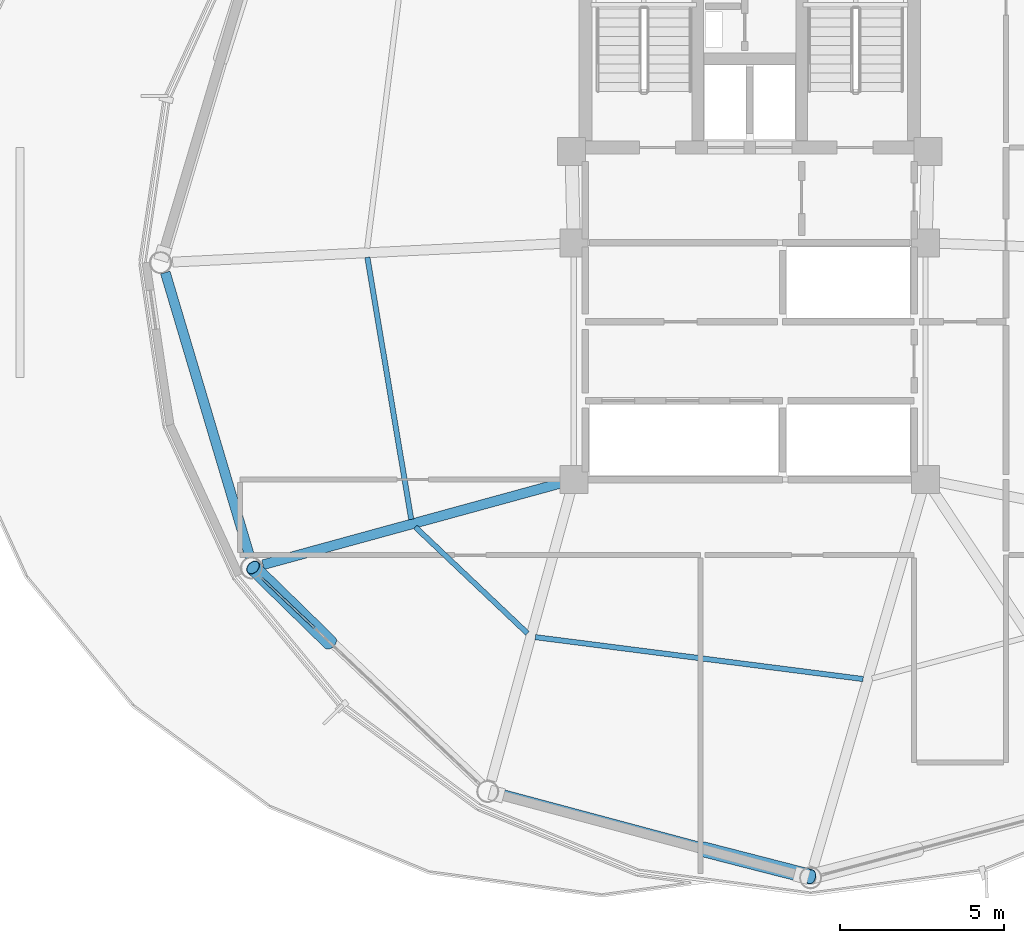
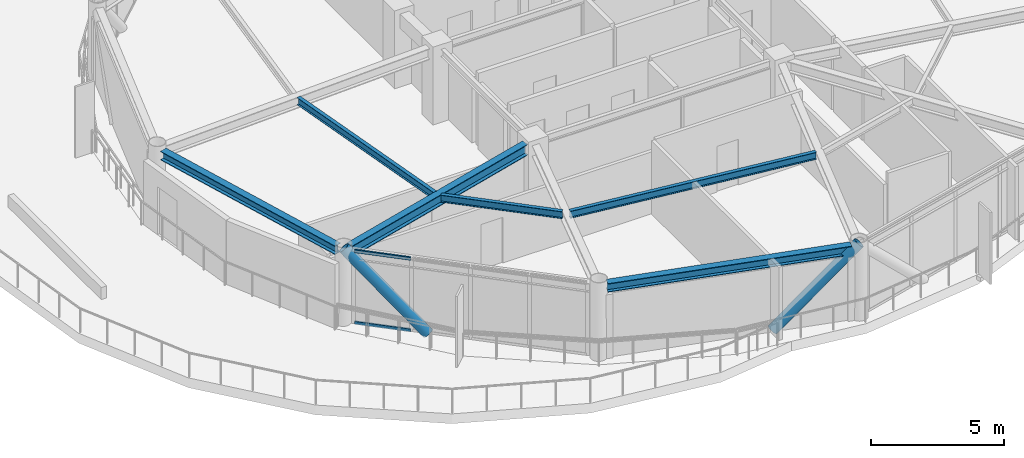
# One storey, part 3 of 25: 6 beams, 4 members, 1 element without a shape of its own.
"""IFC4 building model written with IfcOpenShell, lengths in metres."""

from ifc_helpers import new_model, si_unit, direction, frame, origin, origin_2d, place, context, subcontext, project, spatial, hollow_rectangle, hollow_circle, i_section, extrude, material, layer, layer_set, material_profile, profile_set, type_object, element, aggregate, save


model = new_model("IFC4")

# Units and contexts
model_context = context("Model", 3, precision=1e-05, world=origin(), true_north=direction((0.0, 1.0)))
body_context = subcontext(model_context, "Body", "Model", "MODEL_VIEW")
ifc_project = project(units=[si_unit("LENGTHUNIT", "METRE"), si_unit("AREAUNIT", "SQUARE_METRE"), si_unit("VOLUMEUNIT", "CUBIC_METRE"), si_unit("PLANEANGLEUNIT", "RADIAN"), si_unit("MASSUNIT", "GRAM", prefix="KILO")], contexts=[model_context])

# Site, building, storey
site_placement = place(None, origin())
site = spatial("IfcSite", under=ifc_project, at=site_placement, CompositionType="ELEMENT")
building_placement = place(site_placement, origin())
building = spatial("IfcBuilding", under=site, at=building_placement, Name="Varnakorn Sky Granary", CompositionType="ELEMENT")
storey_placement = place(building_placement, frame((0.0, 0.0, 178.800048828125)))
storey = spatial("IfcBuildingStorey", under=building, at=storey_placement, Name="L44", CompositionType="ELEMENT", Elevation=178.800048828125)

# Beams
ifc_material_1 = material(Name="Steel S355JR", Category="steel")
ifc_material_profile_1 = material_profile(ifc_material_1, i_section(OverallWidth=0.300048828125, OverallDepth=0.5, WebThickness=0.014404296875, FlangeThickness=0.028076171875, at=origin_2d()), Name="HE 500 B")
ifc_profile_set_1 = profile_set([ifc_material_profile_1], Name="Steel S355JR")
beam_type_1 = type_object("IfcBeamType", Name="BM-RAD-Z4", PredefinedType="BEAM", material=ifc_profile_set_1)
beam_1_placement = place(storey_placement, frame((-2.740478515625, -6.70703125, 3.10986328125), z_axis=(-0.964450758068, -0.264262625547, 0.0), x_axis=(0.264262625547, -0.964450758068, 0.0)))
element("IfcBeam", 1, at=beam_1_placement, inside=storey, type_object=beam_type_1, Name="Radial Floor Girder RG08 L44", PredefinedType="BEAM", context=body_context, shape_type="SweptSolid", body=[
    extrude(i_section(OverallWidth=0.300048828125, OverallDepth=0.5, WebThickness=0.014404296875, FlangeThickness=0.028076171875, at=origin_2d()), origin(), (0.0, 0.0, 1.0), 9.396484375),
])
ifc_material_profile_2 = material_profile(ifc_material_1, i_section(OverallWidth=0.159912109375, OverallDepth=0.330078125, WebThickness=0.007568359375, FlangeThickness=0.011474609375, at=origin_2d()), Name="IPE 330")
ifc_profile_set_2 = profile_set([ifc_material_profile_2], Name="Steel S355JR")
beam_type_2 = type_object("IfcBeamType", Name="BM-SEC-Z4", PredefinedType="BEAM", material=ifc_profile_set_2)
beam_2_placement = place(storey_placement, frame((-8.62939453125, 0.159912109375, 3.195068359375), z_axis=(0.165128885745, -0.986271996506, 0.0), x_axis=(0.986271996506, 0.165128885745, 0.0)))
element("IfcBeam", 2, at=beam_2_placement, inside=storey, type_object=beam_type_2, Name="Secondary Floor Chord Beam MSB07 L44", PredefinedType="BEAM", context=body_context, shape_type="SweptSolid", body=[
    extrude(i_section(OverallWidth=0.159912109375, OverallDepth=0.330078125, WebThickness=0.007568359375, FlangeThickness=0.011474609375, at=origin_2d()), origin(), (0.0, 0.0, 1.0), 8.081298828125),
])
beam_3_placement = place(storey_placement, frame((-7.170166015625, -8.044921875, 3.195068359375), z_axis=(0.725810724158, -0.687894463343, 0.0), x_axis=(0.687894463343, 0.725810724158, 0.0)))
element("IfcBeam", 3, at=beam_3_placement, inside=storey, type_object=beam_type_2, Name="Secondary Floor Chord Beam MSB08 L44", PredefinedType="BEAM", context=body_context, shape_type="SweptSolid", body=[
    extrude(i_section(OverallWidth=0.159912109375, OverallDepth=0.330078125, WebThickness=0.007568359375, FlangeThickness=0.011474609375, at=origin_2d()), origin(), (0.0, 0.0, 1.0), 4.700439453125),
])
beam_4_placement = place(storey_placement, frame((-3.51806640625, -11.392333984375, 3.195068359375), z_axis=(0.99192670961, -0.126812470849, 0.0), x_axis=(0.126812470849, 0.99192670961, 0.0)))
element("IfcBeam", 4, at=beam_4_placement, inside=storey, type_object=beam_type_2, Name="Secondary Floor Chord Beam MSB09 L44", PredefinedType="BEAM", context=body_context, shape_type="SweptSolid", body=[
    extrude(i_section(OverallWidth=0.159912109375, OverallDepth=0.330078125, WebThickness=0.007568359375, FlangeThickness=0.011474609375, at=origin_2d()), origin(), (0.0, 0.0, 1.0), 10.047607421875),
])
ifc_material_profile_3 = material_profile(ifc_material_1, i_section(OverallWidth=0.300048828125, OverallDepth=0.39990234375, WebThickness=0.013427734375, FlangeThickness=0.02392578125, at=origin_2d()), Name="HE 400 B")
ifc_profile_set_3 = profile_set([ifc_material_profile_3], Name="Steel S355JR")
beam_type_3 = type_object("IfcBeamType", Name="BM-SPD-Z4", PredefinedType="SPANDREL", material=ifc_profile_set_3)
beam_5_placement = place(storey_placement, frame((-14.775146484375, -0.302001953125, 3.159912109375), z_axis=(0.28508622157, -0.958501875987, 0.0), x_axis=(0.958501875987, 0.28508622157, 0.0)))
element("IfcBeam", 5, at=beam_5_placement, inside=storey, type_object=beam_type_3, Name="Perimeter Spandrel Ring Beam RB07 L44", PredefinedType="SPANDREL", context=body_context, shape_type="SweptSolid", body=[
    extrude(i_section(OverallWidth=0.300048828125, OverallDepth=0.39990234375, WebThickness=0.013427734375, FlangeThickness=0.02392578125, at=origin_2d()), origin(), (0.0, 0.0, 1.0), 9.044921875),
])
beam_6_placement = place(storey_placement, frame((-4.6357421875, -16.1435546875, 3.159912109375), z_axis=(0.966007752999, -0.258513096662, 0.0), x_axis=(0.258513096662, 0.966007752999, 0.0)))
element("IfcBeam", 6, at=beam_6_placement, inside=storey, type_object=beam_type_3, Name="Perimeter Spandrel Ring Beam RB09 L44", PredefinedType="SPANDREL", context=body_context, shape_type="SweptSolid", body=[
    extrude(i_section(OverallWidth=0.300048828125, OverallDepth=0.39990234375, WebThickness=0.013427734375, FlangeThickness=0.02392578125, at=origin_2d()), origin(), (0.0, 0.0, 1.0), 9.50439453125),
])

# Curtain wall, members
ifc_material_2 = material(Name="Anodised Bronze Aluminium Alloy 6063-T6", Category="aluminium")
ifc_layer = layer(ifc_material_2, 0.169921875, Name="Anodised Bronze Aluminium Alloy 6063-T6")
ifc_layer_set = layer_set([ifc_layer], Name="Anodised Bronze Aluminium Alloy 6063-T6")
curtain_wall_type = type_object("IfcCurtainWallType", Name="CW-LAB-1", PredefinedType="USERDEFINED", material=ifc_layer_set)
curtain_wall_placement = place(storey_placement, origin())
curtain_wall = element("IfcCurtainWall", 7, at=curtain_wall_placement, inside=storey, type_object=curtain_wall_type, Name="Unitised Curtain Wall CW5 CW-L44-B08", ObjectType="CURTAIN WALL", PredefinedType="USERDEFINED")
ifc_material_profile_4 = material_profile(ifc_material_2, hollow_rectangle(XDim=0.070068359375, YDim=0.139892578125, WallThickness=0.00341796875, at=origin_2d()), Name="ALU TRAN 70x140")
ifc_profile_set_4 = profile_set([ifc_material_profile_4], Name="Anodised Bronze Aluminium Alloy 6063-T6")
member_type_1 = type_object("IfcMemberType", Name="CW-LAB-1-TRAN", PredefinedType="USERDEFINED", material=ifc_profile_set_4)
member_1_placement = place(storey_placement, frame((-10.248779296875, -11.1025390625, 0.034912109375), z_axis=(-0.726578610065, 0.687083345305, 0.0), x_axis=(-0.687083345305, -0.726578610065, 0.0)))
member_1 = element("IfcMember", 8, at=member_1_placement, type_object=member_type_1, Name="CW5 transom 4.1", ObjectType="TRANSOM", PredefinedType="USERDEFINED", context=body_context, shape_type="SweptSolid", body=[
    extrude(hollow_rectangle(XDim=0.070068359375, YDim=0.139892578125, WallThickness=0.00341796875, at=origin_2d()), origin(), (0.0, 0.0, 1.0), 2.18212890625),
])
member_2_placement = place(storey_placement, frame((-10.248779296875, -11.1025390625, 3.324951171875), z_axis=(-0.726578610065, 0.687083345305, 0.0), x_axis=(-0.687083345305, -0.726578610065, 0.0)))
member_2 = element("IfcMember", 9, at=member_2_placement, type_object=member_type_1, Name="CW5 transom 4.2", ObjectType="TRANSOM", PredefinedType="USERDEFINED", context=body_context, shape_type="SweptSolid", body=[
    extrude(hollow_rectangle(XDim=0.070068359375, YDim=0.139892578125, WallThickness=0.00341796875, at=origin_2d()), origin(), (0.0, 0.0, 1.0), 2.18212890625),
])
aggregate(curtain_wall, [member_1, member_2])

# Members
ifc_material_3 = material(Name="Steel S460M", Category="steel")
ifc_material_profile_5 = material_profile(ifc_material_3, hollow_circle(Radius=0.228515625, WallThickness=0.01611328125, at=origin_2d()), Name="CHS 457x16")
ifc_profile_set_5 = profile_set([ifc_material_profile_5], Name="Steel S460M")
member_type_2 = type_object("IfcMemberType", Name="MB-DIAG-T3", PredefinedType="BRACE", material=ifc_profile_set_5)
member_3_placement = place(storey_placement, frame((-9.767578125, -11.5576171875, 0.0), z_axis=(-0.498954289496, 0.487236857585, 0.716690213135), x_axis=(-0.698655977756, -0.71545777286, 0.0)))
element("IfcMember", 10, at=member_3_placement, inside=storey, type_object=member_type_2, Name="Perimeter CHS Diagrid Brace DG08 L44", PredefinedType="BRACE", context=body_context, shape_type="SweptSolid", body=[
    extrude(hollow_circle(Radius=0.228515625, WallThickness=0.01611328125, at=origin_2d()), origin(), (0.0, 0.0, 1.0), 4.68798828125),
])
member_4_placement = place(storey_placement, frame((1.575439453125, -17.84130859375, 0.0), z_axis=(0.687028654238, -0.176354257552, 0.704904819177), x_axis=(0.248630739184, 0.968598345824, 0.0)))
element("IfcMember", 11, at=member_4_placement, inside=storey, type_object=member_type_2, Name="Perimeter CHS Diagrid Brace DG09 L44", PredefinedType="BRACE", context=body_context, shape_type="SweptSolid", body=[
    extrude(hollow_circle(Radius=0.228515625, WallThickness=0.01611328125, at=origin_2d()), origin(), (0.0, 0.0, 1.0), 4.766357421875),
])

save(model, "model.ifc")
